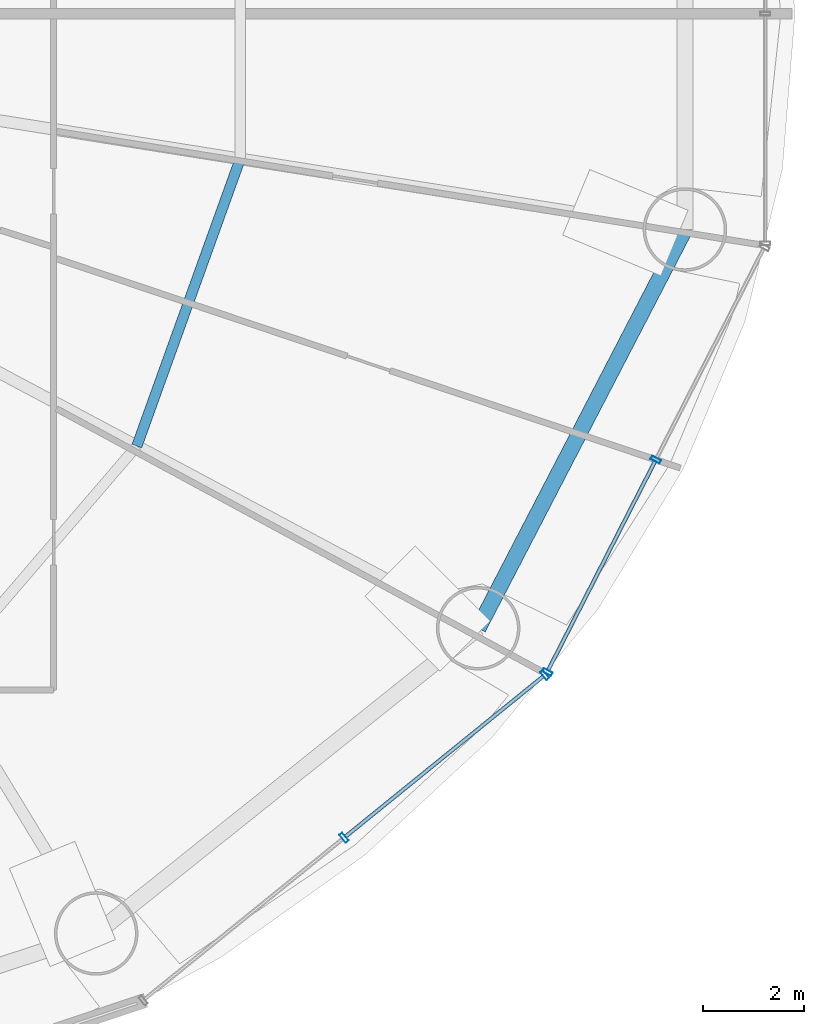
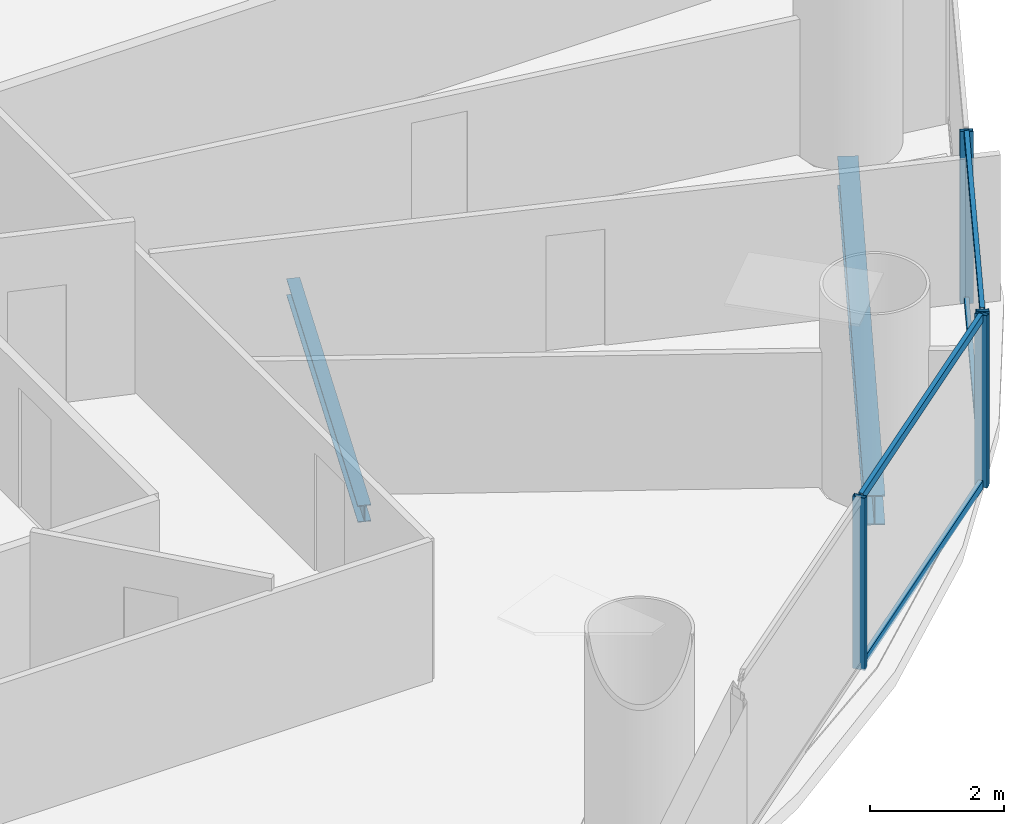
# One storey, part 12 of 29: 8 members, 2 beams, 2 elements without a shape of their own.
"""IFC4 building model written with IfcOpenShell, lengths in metres."""

import ifcopenshell
import ifcopenshell.guid

model = None  # the IFC model being written
_history = None  # IfcOwnerHistory: only IFC2X3 demands one
_inside = {}  # id of a spatial element -> (the spatial element, [elements in it])
_under = {}  # id of a project, library or spatial element -> (it, [spatial elements below it])
_declared = {}  # id of a project -> (the project, [libraries it declares])
_typed = {}  # id of a type object -> (the type object, [elements of that type])
_made_of = {}  # id of a material, layer set ... -> (it, [elements and type objects made of it])


def new_model(schema):
    """Start an empty IFC model of exactly this schema.

    Asked for "IFC4X3", IfcOpenShell would pick the latest addendum, in which some entities
    have other attributes; the version numbers below select the first issue.
    IFC2X3 requires an IfcOwnerHistory on every rooted entity: one is made here for all.
    """
    global model, _history
    if schema == "IFC4X3":
        model = ifcopenshell.file(schema_version=(4, 3, 0, 0))
    else:
        model = ifcopenshell.file(schema=schema)
    _inside.clear()
    _under.clear()
    _declared.clear()
    _typed.clear()
    _made_of.clear()
    _history = None
    if model.schema == "IFC2X3":
        org = make("IfcOrganization", Name="unknown")
        user = make(
            "IfcPersonAndOrganization",
            ThePerson=make("IfcPerson", FamilyName="unknown"),
            TheOrganization=org,
        )
        app = make(
            "IfcApplication",
            ApplicationDeveloper=org,
            Version="unknown",
            ApplicationFullName="unknown",
            ApplicationIdentifier="unknown",
        )
        _history = make(
            "IfcOwnerHistory",
            OwningUser=user,
            OwningApplication=app,
            ChangeAction="ADDED",
            CreationDate=0,
        )
    return model


def make(cls, **values):
    """One entity of the class cls with the attributes given. An attribute that is None is left unset."""
    return model.create_entity(
        cls, **{name: value for name, value in values.items() if value is not None}
    )


def rooted(cls, **values):
    """An entity with a GlobalId (a new one), such as an element, a storey or a relation."""
    return make(cls, GlobalId=ifcopenshell.guid.new(), OwnerHistory=_history, **values)


def si_unit(unit_type, name, prefix=None):
    """IfcSIUnit, for example si_unit("LENGTHUNIT", "METRE", prefix="MILLI")."""
    return make("IfcSIUnit", UnitType=unit_type, Prefix=prefix, Name=name)


def assignment(units):
    """IfcUnitAssignment: the units of a project."""
    return None if units is None else make("IfcUnitAssignment", Units=units)


def point(xyz):
    """IfcCartesianPoint."""
    return None if xyz is None else make("IfcCartesianPoint", Coordinates=xyz)


def direction(xyz):
    """IfcDirection."""
    return None if xyz is None else make("IfcDirection", DirectionRatios=xyz)


def frame(location, z_axis=None, x_axis=None):
    """IfcAxis2Placement3D, a coordinate frame: its origin and axes. An axis left out is left unset."""
    return make(
        "IfcAxis2Placement3D",
        Location=point(location),
        Axis=direction(z_axis),
        RefDirection=direction(x_axis),
    )


def frame_2d(location, x_axis=None):
    """IfcAxis2Placement2D, a coordinate frame in the plane: its origin and x axis."""
    return make(
        "IfcAxis2Placement2D", Location=point(location), RefDirection=direction(x_axis)
    )


def origin():
    """The frame at (0, 0, 0) with its axes left unset."""
    return frame((0.0, 0.0, 0.0))


def origin_2d():
    """The frame at (0, 0) in the plane with its x axis left unset."""
    return frame_2d((0.0, 0.0))


def place(relative_to, where):
    """IfcLocalPlacement: puts the frame where relative to a parent placement (None: the world)."""
    return make(
        "IfcLocalPlacement", PlacementRelTo=relative_to, RelativePlacement=where
    )


def context(
    kind, dimensions, precision=None, world=None, true_north=None, identifier=None
):
    """IfcGeometricRepresentationContext, for example the 3D "Model" context."""
    return make(
        "IfcGeometricRepresentationContext",
        ContextIdentifier=identifier,
        ContextType=kind,
        CoordinateSpaceDimension=dimensions,
        Precision=precision,
        WorldCoordinateSystem=world,
        TrueNorth=true_north,
    )


def subcontext(parent, identifier, kind, view, scale=None):
    """IfcGeometricRepresentationSubContext, for example "Body" below "Model"."""
    return make(
        "IfcGeometricRepresentationSubContext",
        ContextIdentifier=identifier,
        ContextType=kind,
        ParentContext=parent,
        TargetScale=scale,
        TargetView=view,
    )


def project(units=None, contexts=None):
    """IfcProject with its units and contexts."""
    return rooted(
        "IfcProject",
        Name="project",
        RepresentationContexts=contexts,
        UnitsInContext=assignment(units),
    )


def spatial(cls, under=None, at=None, **own):
    """A site, building, storey or space (cls), placed at a placement, below another one or the project."""
    s = rooted(cls, ObjectPlacement=at, **own)
    if under is not None:
        _under.setdefault(under.id(), (under, []))[1].append(s)
    return s


def profile(cls, at=None, kind="AREA", **sizes):
    """A parametric profile (cls). Its sizes go by their IFC names, for example OverallWidth=200.0."""
    return make(cls, ProfileType=kind, Position=at, **sizes)


def hollow_rectangle(**sizes):
    """IfcRectangleHollowProfileDef."""
    return profile("IfcRectangleHollowProfileDef", **sizes)


def i_section(**sizes):
    """IfcIShapeProfileDef."""
    return profile("IfcIShapeProfileDef", **sizes)


def extrude(swept, where, along, depth):
    """IfcExtrudedAreaSolid: the profile swept, set in the frame where, extruded along a direction by depth."""
    return make(
        "IfcExtrudedAreaSolid",
        SweptArea=swept,
        Position=where,
        ExtrudedDirection=direction(along),
        Depth=depth,
    )


def shape(context_of_items, identifier, shape_type, items):
    """IfcShapeRepresentation: the items that make up one representation, for example the "Body"."""
    return make(
        "IfcShapeRepresentation",
        ContextOfItems=context_of_items,
        RepresentationIdentifier=identifier,
        RepresentationType=shape_type,
        Items=items,
    )


def source(mapping_origin, context_of_items, identifier, shape_type, items):
    """IfcRepresentationMap: a shape defined once, which mapped items show again and again."""
    return make(
        "IfcRepresentationMap",
        MappingOrigin=mapping_origin,
        MappedRepresentation=shape(context_of_items, identifier, shape_type, items),
    )


def transform(
    local_origin,
    x_axis=None,
    y_axis=None,
    z_axis=None,
    scale=None,
    scale2=None,
    scale3=None,
    uniform=True,
):
    """IfcCartesianTransformationOperator3D, or its non-uniform kind. x_axis, y_axis, z_axis: its Axis1, 2, 3."""
    if uniform:
        return make(
            "IfcCartesianTransformationOperator3D",
            Axis1=direction(x_axis),
            Axis2=direction(y_axis),
            LocalOrigin=point(local_origin),
            Scale=scale,
            Axis3=direction(z_axis),
        )
    return make(
        "IfcCartesianTransformationOperator3DnonUniform",
        Axis1=direction(x_axis),
        Axis2=direction(y_axis),
        LocalOrigin=point(local_origin),
        Scale=scale,
        Axis3=direction(z_axis),
        Scale2=scale2,
        Scale3=scale3,
    )


def mapped(mapping_source, mapping_target):
    """IfcMappedItem: shows the shape of a source again, moved by a transform."""
    return make(
        "IfcMappedItem", MappingSource=mapping_source, MappingTarget=mapping_target
    )


def material(Name=None, Category=None):
    """IfcMaterial."""
    return make("IfcMaterial", Name=Name, Category=Category)


def material_profile(
    of_material, cross_section, Name=None, Category=None, Priority=None
):
    """IfcMaterialProfile: a cross section and its material."""
    return make(
        "IfcMaterialProfile",
        Name=Name,
        Material=of_material,
        Profile=cross_section,
        Priority=Priority,
        Category=Category,
    )


def profile_set(profiles, Name=None, composite=None):
    """IfcMaterialProfileSet."""
    return make(
        "IfcMaterialProfileSet",
        Name=Name,
        MaterialProfiles=profiles,
        CompositeProfile=composite,
    )


def made_of(thing, what):
    """Note that an element or type object is made of a material, layer set ...; save() writes the relation."""
    if what is not None:
        _made_of.setdefault(what.id(), (what, []))[1].append(thing)
    return thing


def type_object(cls, material=None, **own):
    """A type object (cls), such as IfcWallType, which elements share."""
    return made_of(rooted(cls, **own), material)


def element(
    cls,
    number,
    at=None,
    inside=None,
    cuts=None,
    type_object=None,
    material=None,
    context=None,
    identifier="Body",
    shape_type=None,
    held_by="IfcProductDefinitionShape",
    body=None,
    shapes=None,
    **own,
):
    """One element of the class cls, such as IfcWall. Its Tag is "e" and its number.

    at: its placement. inside: the storey or other place that contains it. cuts: it is an
    opening in that element (IfcRelVoidsElement). A single representation is given by context,
    identifier, shape_type and body (its items); several are given by shapes. held_by: the class
    of the entity that holds the representations. save() writes the other relations.
    """
    e = rooted(cls, Tag="e%d" % number, ObjectPlacement=at, **own)
    if body is not None:
        shapes = [shape(context, identifier, shape_type, body)]
    if shapes is not None:
        e.Representation = make(held_by, Representations=shapes)
    if inside is not None:
        _inside.setdefault(inside.id(), (inside, []))[1].append(e)
    if cuts is not None:
        rooted(
            "IfcRelVoidsElement", RelatingBuildingElement=cuts, RelatedOpeningElement=e
        )
    if type_object is not None:
        _typed.setdefault(type_object.id(), (type_object, []))[1].append(e)
    return made_of(e, material)


def aggregate(whole, parts):
    """IfcRelAggregates: a whole, such as a stair, and the parts it consists of."""
    return rooted("IfcRelAggregates", RelatingObject=whole, RelatedObjects=parts)


def save(model, path):
    """Write the relations noted so far, then the file.

    IfcRelAggregates (storeys below a building ...), IfcRelContainedInSpatialStructure (elements
    in a storey), IfcRelDefinesByType, IfcRelAssociatesMaterial and IfcRelDeclares: one each for
    every whole, place, type object, material and project.
    """
    for whole, parts in _under.values():
        aggregate(whole, parts)
    for where, things in _inside.values():
        rooted(
            "IfcRelContainedInSpatialStructure",
            RelatedElements=things,
            RelatingStructure=where,
        )
    for kind, things in _typed.values():
        rooted("IfcRelDefinesByType", RelatedObjects=things, RelatingType=kind)
    for what, things in _made_of.values():
        rooted("IfcRelAssociatesMaterial", RelatedObjects=things, RelatingMaterial=what)
    for by, libraries in _declared.values():
        rooted("IfcRelDeclares", RelatingContext=by, RelatedDefinitions=libraries)
    model.write(path)


model = new_model("IFC4")

# Units and contexts
model_context = context("Model", 3, precision=1e-05, world=origin(), true_north=direction((-0.2419218956, 0.970295726276)))
body_context = subcontext(model_context, "Body", "Model", "MODEL_VIEW")
ifc_project = project(units=[si_unit("LENGTHUNIT", "METRE"), si_unit("AREAUNIT", "SQUARE_METRE"), si_unit("VOLUMEUNIT", "CUBIC_METRE"), si_unit("PLANEANGLEUNIT", "RADIAN"), si_unit("MASSUNIT", "GRAM", prefix="KILO")], contexts=[model_context])

# Site, building, storey
site_placement = place(None, origin())
site = spatial("IfcSite", under=ifc_project, at=site_placement, CompositionType="ELEMENT")
building_placement = place(site_placement, origin())
building = spatial("IfcBuilding", under=site, at=building_placement, Name="Cobrevalo Terracotta Tower", CompositionType="ELEMENT")
storey_placement = place(building_placement, frame((0.0, 0.0, 70.800048828125)))
storey = spatial("IfcBuildingStorey", under=building, at=storey_placement, Name="L18", CompositionType="ELEMENT", Elevation=70.800048828125)

# Beams
ifc_material_1 = material(Name="Steel S355", Category="steel")
ifc_material_profile_1 = material_profile(ifc_material_1, i_section(OverallWidth=0.2041015625, OverallDepth=0.305908203125, WebThickness=0.008544921875, FlangeThickness=0.0146484375, at=origin_2d()), Name="W 310x67")
ifc_profile_set_1 = profile_set([ifc_material_profile_1], Name="Steel S355")
beam_type_1 = type_object("IfcBeamType", Name="Structural Joist W 310x67 (Steel S355)", PredefinedType="JOIST", material=ifc_profile_set_1)
beam_1_placement = place(storey_placement, frame((53.997802734375, 18.26025390625, -0.43310546875), z_axis=(0.338672151116, 0.940904444701, 0.0), x_axis=(-0.940904444701, 0.338672151116, 0.0)))
element("IfcBeam", 1, at=beam_1_placement, inside=storey, type_object=beam_type_1, Name="L18 circumferential secondary floor joist 15", PredefinedType="JOIST", context=body_context, shape_type="SweptSolid", body=[
    extrude(i_section(OverallWidth=0.2041015625, OverallDepth=0.305908203125, WebThickness=0.008544921875, FlangeThickness=0.0146484375, at=origin_2d()), origin(), (0.0, 0.0, 1.0), 6.029296875),
])
ifc_material_profile_2 = material_profile(ifc_material_1, i_section(OverallWidth=0.31201171875, OverallDepth=0.54296875, WebThickness=0.0126953125, FlangeThickness=0.020263671875, at=origin_2d()), Name="W 530x150")
ifc_profile_set_2 = profile_set([ifc_material_profile_2], Name="Steel S355")
beam_type_2 = type_object("IfcBeamType", Name="Structural Spandrel W 530x150 (Steel S355)", PredefinedType="SPANDREL", material=ifc_profile_set_2)
beam_2_placement = place(storey_placement, frame((60.74072265625, 14.660888671875, -0.551513671875), z_axis=(0.460285838799, 0.88777077368, 0.0), x_axis=(-0.88777077368, 0.460285838799, 0.0)))
element("IfcBeam", 2, at=beam_2_placement, inside=storey, type_object=beam_type_2, Name="L18 perimeter ring spandrel 15", PredefinedType="SPANDREL", context=body_context, shape_type="SweptSolid", body=[
    extrude(i_section(OverallWidth=0.31201171875, OverallDepth=0.54296875, WebThickness=0.0126953125, FlangeThickness=0.020263671875, at=origin_2d()), origin(), (0.0, 0.0, 1.0), 8.8720703125),
])

# Curtain wall, members
ifc_material_2 = material(Name="Anodized aluminium", Category="aluminium")
curtain_wall_type = type_object("IfcCurtainWallType", Name="Lower-tower unitised acoustic low-E curtain wall CW-U1", PredefinedType="NOTDEFINED", material=ifc_material_2)
curtain_wall_1_placement = place(storey_placement, origin())
curtain_wall_1 = element("IfcCurtainWall", 3, at=curtain_wall_1_placement, inside=storey, type_object=curtain_wall_type, Name="L18 curtain wall CW-L18-S14", PredefinedType="NOTDEFINED")
ifc_material_profile_3 = material_profile(ifc_material_2, hollow_rectangle(XDim=0.074951171875, YDim=0.14990234375, WallThickness=0.00439453125, at=origin_2d()), Name="CWT 75x150")
ifc_profile_set_3 = profile_set([ifc_material_profile_3], Name="Anodized aluminium")
member_type_1 = type_object("IfcMemberType", Name="Tower unitised aluminium transom 75x150", PredefinedType="USERDEFINED", material=ifc_profile_set_3)
shared_shape_1 = source(origin(), body_context, "Body", "SweptSolid", [
    extrude(hollow_rectangle(XDim=0.074951171875, YDim=0.14990234375, WallThickness=0.00439453125, at=origin_2d()), origin(), (0.0, 0.0, 1.0), 5.0234375),
])
member_1_placement = place(storey_placement, frame((58.122314453125, 10.54833984375, 0.050048828125), z_axis=(0.777022991593, 0.629472215857, 0.0), x_axis=(-0.629472215857, 0.777022991593, 0.0)))
member_1 = element("IfcMember", 4, at=member_1_placement, type_object=member_type_1, Name="CW-L18-S14 transom B02-T1", ObjectType="TRANSOM", PredefinedType="USERDEFINED", context=body_context, shape_type="MappedRepresentation", body=[
    mapped(shared_shape_1, transform((0.0, 0.0, 0.0), scale=1.0)),
])
member_2_placement = place(storey_placement, frame((58.122314453125, 10.54833984375, 3.099853515625), z_axis=(0.777022991593, 0.629472215857, 0.0), x_axis=(-0.629472215857, 0.777022991593, 0.0)))
member_2 = element("IfcMember", 5, at=member_2_placement, type_object=member_type_1, Name="CW-L18-S14 transom B02-T2", ObjectType="TRANSOM", PredefinedType="USERDEFINED", context=body_context, shape_type="MappedRepresentation", body=[
    mapped(shared_shape_1, transform((0.0, 0.0, 0.0), scale=1.0)),
])

curtain_wall_2_placement = place(storey_placement, origin())
curtain_wall_2 = element("IfcCurtainWall", 6, at=curtain_wall_2_placement, inside=storey, type_object=curtain_wall_type, Name="L18 curtain wall CW-L18-S15", PredefinedType="NOTDEFINED")
shared_shape_2 = source(origin(), body_context, "Body", "SweptSolid", [
    extrude(hollow_rectangle(XDim=0.074951171875, YDim=0.14990234375, WallThickness=0.00439453125, at=origin_2d()), origin(), (0.0, 0.0, 1.0), 4.631103515625),
])
member_3_placement = place(storey_placement, frame((62.1240234375, 13.83203125, 0.050048828125), z_axis=(0.455271744945, 0.89035253594, 0.0), x_axis=(-0.89035253594, 0.455271744945, 0.0)))
member_3 = element("IfcMember", 7, at=member_3_placement, type_object=member_type_1, Name="CW-L18-S15 transom B01-T1", ObjectType="TRANSOM", PredefinedType="USERDEFINED", context=body_context, shape_type="MappedRepresentation", body=[
    mapped(shared_shape_2, transform((0.0, 0.0, 0.0), scale=1.0)),
])
member_4_placement = place(storey_placement, frame((62.1240234375, 13.83203125, 3.099853515625), z_axis=(0.455271744945, 0.89035253594, 0.0), x_axis=(-0.89035253594, 0.455271744945, 0.0)))
member_4 = element("IfcMember", 8, at=member_4_placement, type_object=member_type_1, Name="CW-L18-S15 transom B01-T2", ObjectType="TRANSOM", PredefinedType="USERDEFINED", context=body_context, shape_type="MappedRepresentation", body=[
    mapped(shared_shape_2, transform((0.0, 0.0, 0.0), scale=1.0)),
])

# Member
ifc_material_profile_4 = material_profile(ifc_material_2, hollow_rectangle(XDim=0.074951171875, YDim=0.199951171875, WallThickness=0.0048828125, at=origin_2d()), Name="CWM 75x200")
ifc_profile_set_4 = profile_set([ifc_material_profile_4], Name="Anodized aluminium")
member_type_2 = type_object("IfcMemberType", Name="Lower/mid tower unitised mullion 75x200", PredefinedType="MULLION", material=ifc_profile_set_4)
shared_shape_3 = source(origin(), body_context, "Body", "SweptSolid", [
    extrude(hollow_rectangle(XDim=0.074951171875, YDim=0.199951171875, WallThickness=0.0048828125, at=origin_2d()), origin(), (0.0, 0.0, 1.0), 3.14990234375),
])
member_5_placement = place(storey_placement, frame((58.09130859375, 10.523193359375, 0.0), z_axis=(0.0, 0.0, 1.0), x_axis=(0.777003153187, 0.629496703675, 0.0)))
member_5 = element("IfcMember", 9, at=member_5_placement, type_object=member_type_2, Name="CW-L18-S14 vertical mullion 02", PredefinedType="MULLION", context=body_context, shape_type="MappedRepresentation", body=[
    mapped(shared_shape_3, transform((0.0, 0.0, 0.0), scale=1.0)),
])

member_6_placement = place(storey_placement, frame((62.056640625, 13.735595703125, 0.0), z_axis=(0.0, 0.0, 1.0), x_axis=(0.777003153187, 0.629496703675, 0.0)))
member_6 = element("IfcMember", 10, at=member_6_placement, type_object=member_type_2, Name="CW-L18-S14 vertical mullion 03", PredefinedType="MULLION", context=body_context, shape_type="MappedRepresentation", body=[
    mapped(shared_shape_3, transform((0.0, 0.0, 0.0), scale=1.0)),
])

aggregate(curtain_wall_1, [member_5, member_6, member_1, member_2])

member_7_placement = place(storey_placement, frame((62.10595703125, 13.79638671875, 0.0), z_axis=(0.0, 0.0, 1.0), x_axis=(0.455234136597, 0.890371765543, 0.0)))
member_7 = element("IfcMember", 11, at=member_7_placement, type_object=member_type_2, Name="CW-L18-S15 vertical mullion 01", PredefinedType="MULLION", context=body_context, shape_type="MappedRepresentation", body=[
    mapped(shared_shape_3, transform((0.0, 0.0, 0.0), scale=1.0)),
])

member_8_placement = place(storey_placement, frame((64.25048828125, 17.990966796875, 0.0), z_axis=(0.0, 0.0, 1.0), x_axis=(0.455234136597, 0.890371765543, 0.0)))
member_8 = element("IfcMember", 12, at=member_8_placement, type_object=member_type_2, Name="CW-L18-S15 vertical mullion 02", PredefinedType="MULLION", context=body_context, shape_type="MappedRepresentation", body=[
    mapped(shared_shape_3, transform((0.0, 0.0, 0.0), scale=1.0)),
])

aggregate(curtain_wall_2, [member_7, member_8, member_3, member_4])

save(model, "model.ifc")
